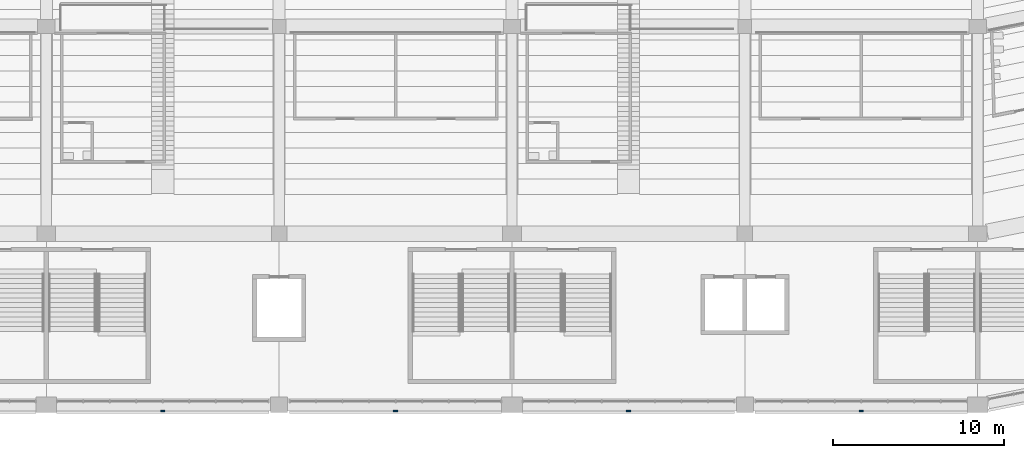
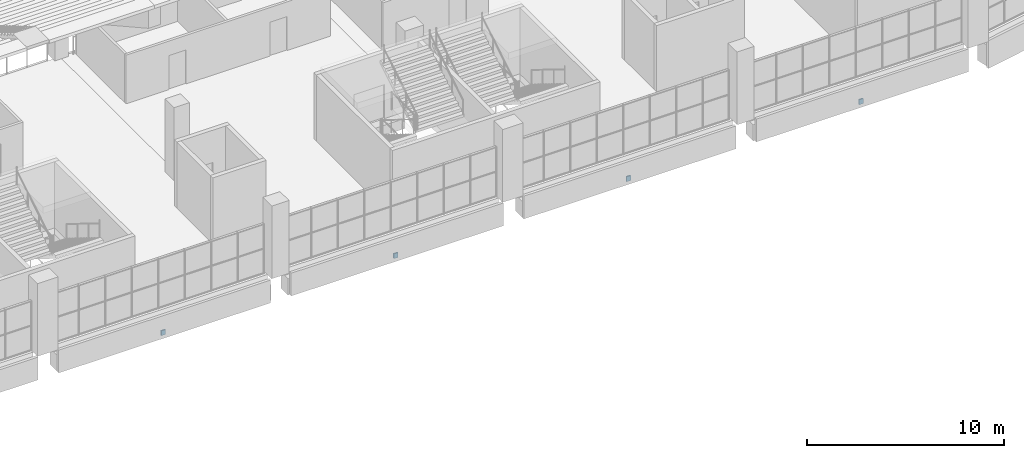
# One storey, part 103 of 249: 4 discrete accessories.
"""IFC4 building model written with IfcOpenShell, lengths in metres."""

from ifc_helpers import new_model, si_unit, direction, frame, origin, origin_2d, place, context, subcontext, project, spatial, rectangle, extrude, material, layer, layer_set, type_object, element, save


model = new_model("IFC4")

# Units and contexts
model_context = context("Model", 3, precision=1e-05, world=origin(), true_north=direction((0.0, 1.0)))
body_context = subcontext(model_context, "Body", "Model", "MODEL_VIEW")
ifc_project = project(units=[si_unit("LENGTHUNIT", "METRE"), si_unit("AREAUNIT", "SQUARE_METRE"), si_unit("VOLUMEUNIT", "CUBIC_METRE"), si_unit("PLANEANGLEUNIT", "RADIAN"), si_unit("MASSUNIT", "GRAM", prefix="KILO")], contexts=[model_context])

# Site, building, storey
site_placement = place(None, origin())
site = spatial("IfcSite", under=ifc_project, at=site_placement, CompositionType="ELEMENT")
building_placement = place(site_placement, origin())
building = spatial("IfcBuilding", under=site, at=building_placement, Name="Ogive Plaza Stadium", CompositionType="ELEMENT")
storey_placement = place(building_placement, frame((0.0, 0.0, 13.5)))
storey = spatial("IfcBuildingStorey", under=building, at=storey_placement, Name="L03", CompositionType="ELEMENT", Elevation=13.5)

# Discrete accessories
ifc_material = material(Name="Steel ASTM A572 Grade 50", Category="steel")
ifc_layer = layer(ifc_material, 0.080078125)
ifc_layer_set = layer_set([ifc_layer], Name="Steel ASTM A572 Grade 50")
discrete_accessory_type = type_object("IfcDiscreteAccessoryType", Name="Spandrel cladding bracket 250x300", PredefinedType="BRACKET", material=ifc_layer_set)
for number, where, z_axis, x_axis, name in (
    (1, (27.199951171875, -102.85009765625, -1.31005859375), (0.0, 0.0, 1.0), (-1.0, 0.0, 0.0), "SPANDREL BRACKET B12 L03"),
    (2, (13.60009765625, -102.85009765625, -1.31005859375), (0.0, 0.0, 1.0), (-1.0, 0.0, 0.0), "SPANDREL BRACKET B13 L03"),
    (3, (0.0, -102.85009765625, -1.31005859375), (0.0, 0.0, 1.0), (-1.0, 0.0, 0.0), "SPANDREL BRACKET B14 L03"),
    (4, (-13.60009765625, -102.85009765625, -1.31005859375), (0.0, 0.0, 1.0), (-1.0, 0.0, 0.0), "SPANDREL BRACKET B15 L03"),
):
    element("IfcDiscreteAccessory", number, at=place(storey_placement, frame(where, z_axis=z_axis, x_axis=x_axis)), inside=storey, type_object=discrete_accessory_type, Name=name, PredefinedType="BRACKET", context=body_context, shape_type="SweptSolid", body=[
        extrude(rectangle(XDim=0.25, YDim=0.080078125, at=origin_2d()), origin(), (0.0, 0.0, 1.0), 0.300048828125),
    ])

save(model, "model.ifc")
